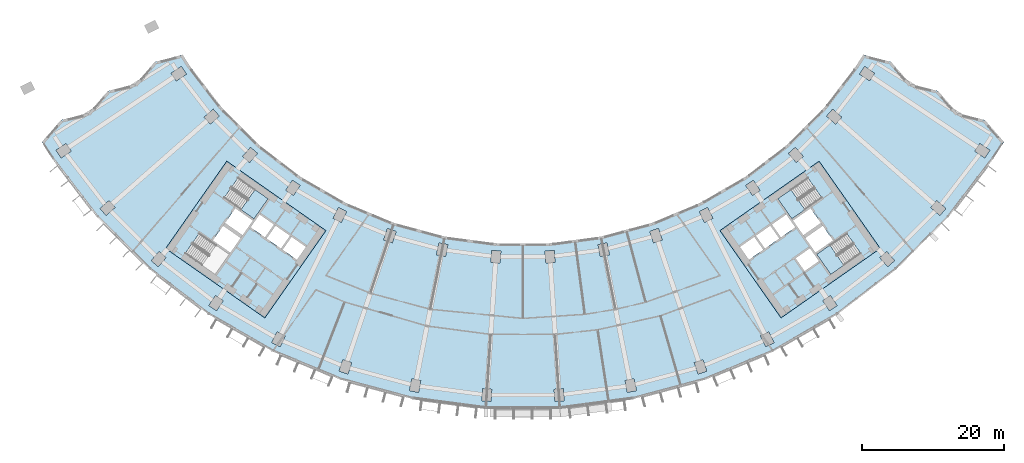
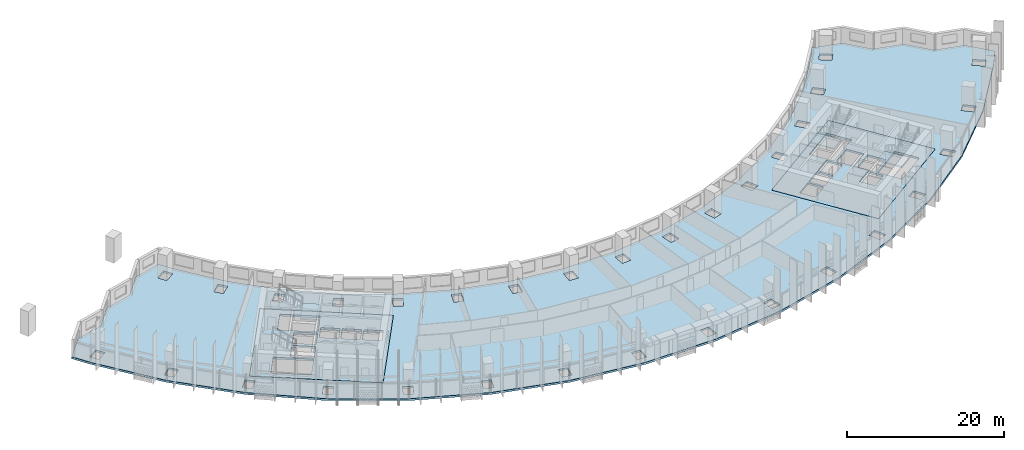
# One storey, part 2 of 32: 6 slabs, 3 elements without a shape of their own.
"""IFC4 building model written with IfcOpenShell, lengths in metres."""

from ifc_helpers import new_model, si_unit, direction, frame, origin, place, context, subcontext, project, spatial, polyline, outline, extrude, material, layer, layer_set, type_object, element, aggregate, save


model = new_model("IFC4")

# Units and contexts
model_context = context("Model", 3, precision=1e-05, world=origin(), true_north=direction((0.0, 1.0)))
body_context = subcontext(model_context, "Body", "Model", "MODEL_VIEW")
ifc_project = project(units=[si_unit("LENGTHUNIT", "METRE"), si_unit("AREAUNIT", "SQUARE_METRE"), si_unit("VOLUMEUNIT", "CUBIC_METRE"), si_unit("PLANEANGLEUNIT", "RADIAN"), si_unit("MASSUNIT", "GRAM", prefix="KILO")], contexts=[model_context])

# Site, building, storey
site_placement = place(None, origin())
site = spatial("IfcSite", under=ifc_project, at=site_placement, CompositionType="ELEMENT")
building_placement = place(site_placement, origin())
building = spatial("IfcBuilding", under=site, at=building_placement, Name="Qamariyya Broadcast Tower", CompositionType="ELEMENT")
storey_placement = place(building_placement, frame((0.0, 0.0, 63.300048828125)))
storey = spatial("IfcBuildingStorey", under=building, at=storey_placement, Name="L12", CompositionType="ELEMENT", Elevation=63.300048828125)

# Slabs
ifc_material_1 = material(Name="Concrete C40/50", Category="concrete")
ifc_layer_1 = layer(ifc_material_1, 0.300048828125)
ifc_layer_set_1 = layer_set([ifc_layer_1], Name="Core floor slab 300 mm Concrete C40/50")
slab_type_1 = type_object("IfcSlabType", Name="Core floor slab 300 mm Concrete C40/50", PredefinedType="FLOOR", material=ifc_layer_set_1)
slab_1_placement = place(storey_placement, frame((0.0, 0.0, -0.300048828125)))
element("IfcSlab", 1, at=slab_1_placement, inside=storey, type_object=slab_type_1, Name="k-W-L12-slab", PredefinedType="FLOOR", context=body_context, shape_type="SweptSolid", body=[
    extrude(outline(polyline([(-50.286376953125, -56.95751953125), (-36.32373046875, -66.734375), (-27.719970703125, -54.447021484375), (-41.6826171875, -44.67041015625), (-50.286376953125, -56.95751953125)]), holes=[polyline([(-31.80859375, -58.542724609375), (-33.8154296875, -57.137451171875), (-32.5537109375, -55.335205078125), (-30.546630859375, -56.740478515625), (-31.80859375, -58.542724609375)]), polyline([(-34.061279296875, -56.96533203125), (-36.068115234375, -55.56005859375), (-34.806396484375, -53.758056640625), (-32.79931640625, -55.163330078125), (-34.061279296875, -56.96533203125)]), polyline([(-36.31396484375, -55.387939453125), (-38.32080078125, -53.982666015625), (-37.058837890625, -52.1806640625), (-35.052001953125, -53.5859375), (-36.31396484375, -55.387939453125)]), polyline([(-39.742431640625, -55.489990234375), (-42.199951171875, -53.769287109375), (-43.6337890625, -55.817138671875), (-41.17626953125, -57.537841796875), (-39.742431640625, -55.489990234375)]), polyline([(-39.45556640625, -55.080322265625), (-41.9130859375, -53.359619140625), (-40.47900390625, -51.311767578125), (-38.021728515625, -53.032470703125), (-39.45556640625, -55.080322265625)]), polyline([(-42.06103515625, -49.837890625), (-37.849609375, -52.78662109375), (-35.870849609375, -49.960693359375), (-40.082275390625, -47.01171875), (-42.06103515625, -49.837890625)]), polyline([(-47.538818359375, -57.66064453125), (-43.3271484375, -60.609619140625), (-41.348388671875, -57.783447265625), (-45.559814453125, -54.834716796875), (-47.538818359375, -57.66064453125)])]), origin(), (0.0, 0.0, 1.0), 0.300048828125),
])
slab_2_placement = place(storey_placement, frame((0.0, 0.0, -0.300048828125)))
element("IfcSlab", 2, at=slab_2_placement, inside=storey, type_object=slab_type_1, Name="k-E-L12-slab", PredefinedType="FLOOR", context=body_context, shape_type="SweptSolid", body=[
    extrude(outline(polyline([(36.32373046875, -66.734375), (50.286376953125, -56.95751953125), (41.6826171875, -44.67041015625), (27.719970703125, -54.447021484375), (36.32373046875, -66.734375)]), holes=[polyline([(31.80859375, -58.542724609375), (33.8154296875, -57.137451171875), (32.5537109375, -55.335205078125), (30.546630859375, -56.740478515625), (31.80859375, -58.542724609375)]), polyline([(34.061279296875, -56.96533203125), (36.068115234375, -55.56005859375), (34.806396484375, -53.758056640625), (32.79931640625, -55.163330078125), (34.061279296875, -56.96533203125)]), polyline([(36.31396484375, -55.387939453125), (38.32080078125, -53.982666015625), (37.058837890625, -52.1806640625), (35.052001953125, -53.5859375), (36.31396484375, -55.387939453125)]), polyline([(38.378662109375, -58.3369140625), (40.3857421875, -56.931640625), (41.6474609375, -58.73388671875), (39.640625, -60.13916015625), (38.378662109375, -58.3369140625)]), polyline([(39.742431640625, -55.489990234375), (42.199951171875, -53.769287109375), (43.6337890625, -55.817138671875), (41.17626953125, -57.537841796875), (39.742431640625, -55.489990234375)]), polyline([(39.45556640625, -55.080322265625), (41.9130859375, -53.359619140625), (40.47900390625, -51.311767578125), (38.021728515625, -53.032470703125), (39.45556640625, -55.080322265625)]), polyline([(40.082275390625, -47.01171875), (35.870849609375, -49.960693359375), (37.849609375, -52.78662109375), (42.06103515625, -49.837890625), (40.082275390625, -47.01171875)]), polyline([(45.559814453125, -54.834716796875), (41.348388671875, -57.783447265625), (43.3271484375, -60.609619140625), (47.538818359375, -57.66064453125), (45.559814453125, -54.834716796875)])]), origin(), (0.0, 0.0, 1.0), 0.300048828125),
])
ifc_layer_2 = layer(ifc_material_1, 0.300048828125)
ifc_layer_set_2 = layer_set([ifc_layer_2], Name="Post-tensioned floor slab 300 C40/50")
slab_type_2 = type_object("IfcSlabType", Name="Post-tensioned floor slab 300 C40/50", PredefinedType="FLOOR", material=ifc_layer_set_2)
slab_3_placement = place(storey_placement, frame((0.0, 0.0, -0.300048828125)))
element("IfcSlab", 3, at=slab_3_placement, inside=storey, type_object=slab_type_2, Name="Floor slab S4 L12", PredefinedType="FLOOR", context=body_context, shape_type="SweptSolid", body=[
    extrude(outline(polyline([(-65.0234375, -38.891357421875), (-67.699951171875, -41.962158203125), (-66.2265625, -44.251220703125), (-59.884033203125, -52.516845703125), (-52.516845703125, -59.884033203125), (-44.251220703125, -66.2265625), (-35.228271484375, -71.43603515625), (-25.6025390625, -75.423095703125), (-15.5390625, -78.11962890625), (-5.20947265625, -79.4794921875), (5.20947265625, -79.4794921875), (15.5390625, -78.11962890625), (25.6025390625, -75.423095703125), (35.228271484375, -71.43603515625), (44.251220703125, -66.2265625), (52.516845703125, -59.884033203125), (59.884033203125, -52.516845703125), (66.2265625, -44.251220703125), (67.699951171875, -41.962158203125), (65.0234375, -38.891357421875), (61.0986328125, -37.870361328125), (58.421142578125, -34.799072265625), (54.497314453125, -33.77880859375), (51.818359375, -30.706787109375), (47.895751953125, -29.68701171875), (46.853271484375, -31.306396484375), (42.3662109375, -37.154052734375), (37.154052734375, -42.3662109375), (31.306396484375, -46.853271484375), (24.9228515625, -50.538818359375), (18.113037109375, -53.359619140625), (10.993408203125, -55.267333984375), (3.685546875, -56.229248046875), (-3.685546875, -56.229248046875), (-10.993408203125, -55.267333984375), (-18.113037109375, -53.359619140625), (-24.9228515625, -50.538818359375), (-31.306396484375, -46.853271484375), (-37.154052734375, -42.3662109375), (-42.3662109375, -37.154052734375), (-46.853271484375, -31.306396484375), (-47.895751953125, -29.68701171875), (-51.818359375, -30.706787109375), (-54.497314453125, -33.77880859375), (-58.421142578125, -34.799072265625), (-61.0986328125, -37.870361328125), (-65.0234375, -38.891357421875)]), holes=[polyline([(-5.789306640625, -78.38916015625), (-5.67822265625, -76.69287109375), (-4.380859375, -76.77783203125), (-4.4921875, -78.47412109375), (-5.789306640625, -78.38916015625)]), polyline([(-15.9716796875, -76.962890625), (-15.639892578125, -75.295654296875), (-14.364990234375, -75.54931640625), (-14.696533203125, -77.216552734375), (-15.9716796875, -76.962890625)]), polyline([(-25.880615234375, -74.2197265625), (-25.334228515625, -72.610107421875), (-24.103271484375, -73.02783203125), (-24.649658203125, -74.6376953125), (-25.880615234375, -74.2197265625)]), polyline([(-35.346923828125, -70.206787109375), (-34.594970703125, -68.68212890625), (-33.428955078125, -69.257080078125), (-34.180908203125, -70.78173828125), (-35.346923828125, -70.206787109375)]), polyline([(-44.208251953125, -64.992431640625), (-43.263916015625, -63.578857421875), (-42.182861328125, -64.301025390625), (-43.12744140625, -65.714599609375), (-44.208251953125, -64.992431640625)]), polyline([(-52.313232421875, -58.666015625), (-51.1923828125, -57.387939453125), (-50.215087890625, -58.2451171875), (-51.3359375, -59.523193359375), (-52.313232421875, -58.666015625)]), polyline([(-12.167236328125, -57.837646484375), (-11.835693359375, -56.170166015625), (-10.560791015625, -56.423828125), (-10.892333984375, -58.09130859375), (-12.167236328125, -57.837646484375)]), polyline([(-41.6826171875, -44.67041015625), (-27.719970703125, -54.447021484375), (-36.32373046875, -66.734375), (-50.286376953125, -56.95751953125), (-41.6826171875, -44.67041015625)]), polyline([(-19.066162109375, -54.144775390625), (-17.835205078125, -54.562744140625), (-18.381591796875, -56.172607421875), (-19.612548828125, -55.754638671875), (-19.066162109375, -54.144775390625)]), polyline([(-26.72216796875, -52.7177734375), (-25.970458984375, -51.193115234375), (-24.804443359375, -51.76806640625), (-25.556396484375, -53.292724609375), (-26.72216796875, -52.7177734375)]), polyline([(-59.523193359375, -51.3359375), (-58.2451171875, -50.215087890625), (-57.387939453125, -51.1923828125), (-58.666015625, -52.313232421875), (-59.523193359375, -51.3359375)]), polyline([(-33.374755859375, -48.77880859375), (-32.43017578125, -47.365234375), (-31.349365234375, -48.08740234375), (-32.293701171875, -49.5009765625), (-33.374755859375, -48.77880859375)]), polyline([(-39.4560546875, -44.005126953125), (-38.335205078125, -42.72705078125), (-37.357666015625, -43.584228515625), (-38.478759765625, -44.8623046875), (-39.4560546875, -44.005126953125)]), polyline([(-65.714599609375, -43.12744140625), (-64.301025390625, -42.182861328125), (-63.578857421875, -43.263916015625), (-64.992431640625, -44.208251953125), (-65.714599609375, -43.12744140625)]), polyline([(-44.8623046875, -38.478759765625), (-43.584228515625, -37.357666015625), (-42.72705078125, -38.335205078125), (-44.005126953125, -39.4560546875), (-44.8623046875, -38.478759765625)]), polyline([(-48.08740234375, -31.349365234375), (-47.365234375, -32.43017578125), (-48.77880859375, -33.374755859375), (-49.5009765625, -32.293701171875), (-48.08740234375, -31.349365234375)]), polyline([(4.4921875, -78.47412109375), (4.380859375, -76.77783203125), (5.67822265625, -76.69287109375), (5.789306640625, -78.38916015625), (4.4921875, -78.47412109375)]), polyline([(14.696533203125, -77.216552734375), (14.364990234375, -75.54931640625), (15.639892578125, -75.295654296875), (15.9716796875, -76.962890625), (14.696533203125, -77.216552734375)]), polyline([(24.649658203125, -74.6376953125), (24.103271484375, -73.02783203125), (25.334228515625, -72.610107421875), (25.880615234375, -74.2197265625), (24.649658203125, -74.6376953125)]), polyline([(34.180908203125, -70.78173828125), (33.428955078125, -69.257080078125), (34.594970703125, -68.68212890625), (35.346923828125, -70.206787109375), (34.180908203125, -70.78173828125)]), polyline([(43.12744140625, -65.714599609375), (42.182861328125, -64.301025390625), (43.263916015625, -63.578857421875), (44.208251953125, -64.992431640625), (43.12744140625, -65.714599609375)]), polyline([(51.3359375, -59.523193359375), (50.215087890625, -58.2451171875), (51.1923828125, -57.387939453125), (52.313232421875, -58.666015625), (51.3359375, -59.523193359375)]), polyline([(3.216796875, -59.015869140625), (3.10546875, -57.319580078125), (4.40283203125, -57.234619140625), (4.513916015625, -58.930908203125), (3.216796875, -59.015869140625)]), polyline([(-4.40283203125, -57.234619140625), (-3.10546875, -57.319580078125), (-3.216796875, -59.015869140625), (-4.513916015625, -58.930908203125), (-4.40283203125, -57.234619140625)]), polyline([(10.560791015625, -56.423828125), (11.835693359375, -56.170166015625), (12.167236328125, -57.837646484375), (10.892333984375, -58.09130859375), (10.560791015625, -56.423828125)]), polyline([(36.32373046875, -66.734375), (27.719970703125, -54.447021484375), (41.6826171875, -44.67041015625), (50.286376953125, -56.95751953125), (36.32373046875, -66.734375)]), polyline([(18.381591796875, -56.172607421875), (17.835205078125, -54.562744140625), (19.066162109375, -54.144775390625), (19.612548828125, -55.754638671875), (18.381591796875, -56.172607421875)]), polyline([(25.556396484375, -53.292724609375), (24.804443359375, -51.76806640625), (25.970458984375, -51.193115234375), (26.72216796875, -52.7177734375), (25.556396484375, -53.292724609375)]), polyline([(58.666015625, -52.313232421875), (57.387939453125, -51.1923828125), (58.2451171875, -50.215087890625), (59.523193359375, -51.3359375), (58.666015625, -52.313232421875)]), polyline([(32.293701171875, -49.5009765625), (31.349365234375, -48.08740234375), (32.43017578125, -47.365234375), (33.374755859375, -48.77880859375), (32.293701171875, -49.5009765625)]), polyline([(38.478759765625, -44.8623046875), (37.357666015625, -43.584228515625), (38.335205078125, -42.72705078125), (39.4560546875, -44.005126953125), (38.478759765625, -44.8623046875)]), polyline([(64.992431640625, -44.208251953125), (63.578857421875, -43.263916015625), (64.301025390625, -42.182861328125), (65.714599609375, -43.12744140625), (64.992431640625, -44.208251953125)]), polyline([(42.72705078125, -38.335205078125), (43.584228515625, -37.357666015625), (44.8623046875, -38.478759765625), (44.005126953125, -39.4560546875), (42.72705078125, -38.335205078125)]), polyline([(47.365234375, -32.43017578125), (48.08740234375, -31.349365234375), (49.5009765625, -32.293701171875), (48.77880859375, -33.374755859375), (47.365234375, -32.43017578125)])]), origin(), (0.0, 0.0, 1.0), 0.300048828125),
])

# Stair, slab
ifc_material_2 = material(Name="Concrete C50/60", Category="concrete")
stair_type = type_object("IfcStairType", Name="Exit stair 22 risers of 173 mm", PredefinedType="HALF_TURN_STAIR", material=ifc_material_2)
stair_1_placement = place(storey_placement, origin())
stair_1 = element("IfcStair", 4, at=stair_1_placement, inside=storey, type_object=stair_type, Name="L12 Stair W2", PredefinedType="HALF_TURN_STAIR")
ifc_layer_3 = layer(ifc_material_2, 0.199951171875)
ifc_layer_set_3 = layer_set([ifc_layer_3], Name="Stair landing")
slab_type_3 = type_object("IfcSlabType", Name="Stair landing", PredefinedType="LANDING", material=ifc_layer_set_3)
slab_4_placement = place(storey_placement, frame((0.0, 0.0, 1.699951171875)))
slab_4 = element("IfcSlab", 5, at=slab_4_placement, type_object=slab_type_3, Name="ST-W2 landing 1", PredefinedType="LANDING", context=body_context, shape_type="SweptSolid", body=[
    extrude(outline(polyline([(-39.692138671875, -51.49658203125), (-37.849609375, -52.78662109375), (-35.870849609375, -49.960693359375), (-37.71337890625, -48.67041015625), (-39.692138671875, -51.49658203125)])), origin(), (0.0, 0.0, 1.0), 0.199951171875),
])
aggregate(stair_1, [slab_4])

stair_2_placement = place(storey_placement, origin())
stair_2 = element("IfcStair", 6, at=stair_2_placement, inside=storey, type_object=stair_type, Name="L12 Stair E2", PredefinedType="HALF_TURN_STAIR")
slab_5_placement = place(storey_placement, frame((0.0, 0.0, 1.699951171875)))
slab_5 = element("IfcSlab", 7, at=slab_5_placement, type_object=slab_type_3, Name="ST-E2 landing 1", PredefinedType="LANDING", context=body_context, shape_type="SweptSolid", body=[
    extrude(outline(polyline([(37.71337890625, -48.67041015625), (35.870849609375, -49.960693359375), (37.849609375, -52.78662109375), (39.692138671875, -51.49658203125), (37.71337890625, -48.67041015625)])), origin(), (0.0, 0.0, 1.0), 0.199951171875),
])
aggregate(stair_2, [slab_5])

stair_3_placement = place(storey_placement, origin())
stair_3 = element("IfcStair", 8, at=stair_3_placement, inside=storey, type_object=stair_type, Name="L12 Stair E1", PredefinedType="HALF_TURN_STAIR")
slab_6_placement = place(storey_placement, frame((0.0, 0.0, 1.699951171875)))
slab_6 = element("IfcSlab", 9, at=slab_6_placement, type_object=slab_type_3, Name="ST-E1 landing 1", PredefinedType="LANDING", context=body_context, shape_type="SweptSolid", body=[
    extrude(outline(polyline([(43.19091796875, -56.493408203125), (41.348388671875, -57.783447265625), (43.3271484375, -60.609619140625), (45.169677734375, -59.319580078125), (43.19091796875, -56.493408203125)])), origin(), (0.0, 0.0, 1.0), 0.199951171875),
])
aggregate(stair_3, [slab_6])

save(model, "model.ifc")
